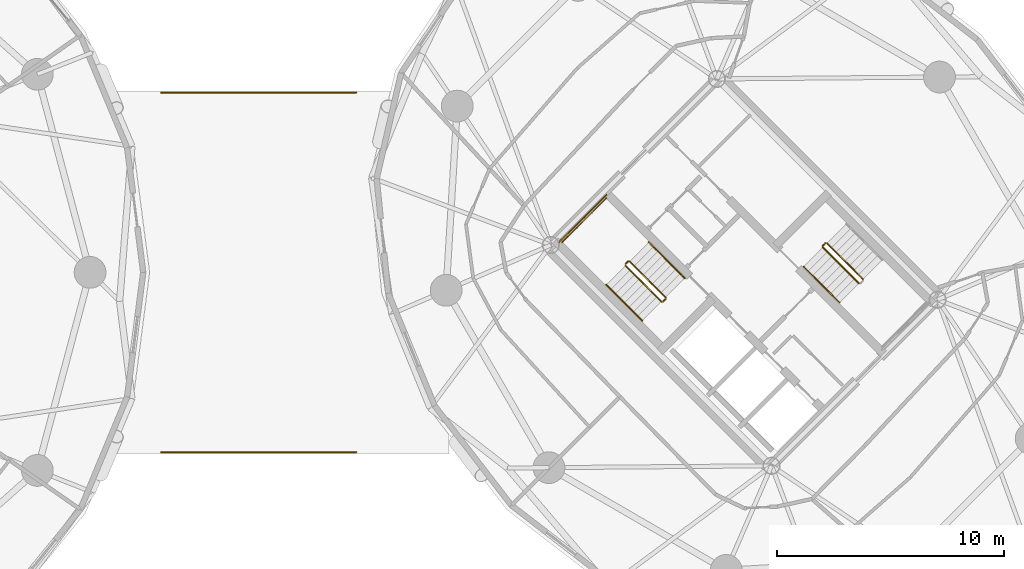
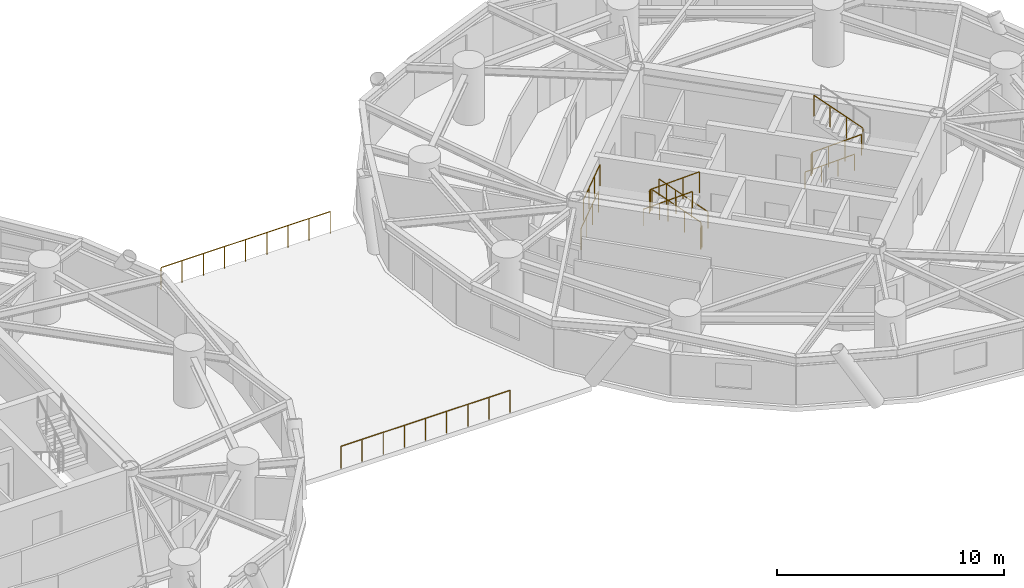
# One storey, part 17 of 19: 14 railings.
"""IFC4 building model written with IfcOpenShell, lengths in metres."""

from ifc_helpers import new_model, si_unit, direction, frame, origin, origin_2d, place, context, subcontext, project, spatial, circle, extrude, material, type_object, element, save


model = new_model("IFC4")

# Units and contexts
model_context = context("Model", 3, precision=1e-05, world=origin(), true_north=direction((0.0, 1.0)))
body_context = subcontext(model_context, "Body", "Model", "MODEL_VIEW")
ifc_project = project(units=[si_unit("LENGTHUNIT", "METRE"), si_unit("AREAUNIT", "SQUARE_METRE"), si_unit("VOLUMEUNIT", "CUBIC_METRE"), si_unit("PLANEANGLEUNIT", "RADIAN"), si_unit("MASSUNIT", "GRAM", prefix="KILO")], contexts=[model_context])

# Site, building, storey
site_placement = place(None, origin())
site = spatial("IfcSite", under=ifc_project, at=site_placement, CompositionType="ELEMENT")
building_placement = place(site_placement, origin())
building = spatial("IfcBuilding", under=site, at=building_placement, Name="Cununo Teusaquillo Station Towers", CompositionType="ELEMENT")
storey_placement = place(building_placement, frame((0.0, 0.0, 144.0400390625)))
storey = spatial("IfcBuildingStorey", under=building, at=storey_placement, Name="L45", CompositionType="ELEMENT", Elevation=144.0400390625)

# Railings
ifc_material_1 = material(Name="Anodised dark bronze aluminium EN AW-6063-T6", Category="aluminium")
railing_type_1 = type_object("IfcRailingType", Name="RL-EXT-BALUS", PredefinedType="BALUSTRADE", material=ifc_material_1)
for number, where, name in (
    (1, (31.800048828125, 32.419921875, 0.0), "L45 Mid-Bridge Roof North Balustrade"),
    (2, (31.800048828125, 16.580078125, 0.0), "L45 Mid-Bridge Roof South Balustrade"),
):
    element("IfcRailing", number, at=place(storey_placement, frame(where)), inside=storey, type_object=railing_type_1, Name=name, PredefinedType="BALUSTRADE", context=body_context, shape_type="SweptSolid", body=[
        extrude(circle(Radius=0.02392578125, at=origin_2d()), frame((0.0, 0.0, 1.17578125), z_axis=(1.0, 0.0, 0.0), x_axis=(0.0, 1.0, 0.0)), (0.0, 0.0, 1.0), 8.599853515625),
        extrude(circle(Radius=0.02099609375, at=origin_2d()), origin(), (0.0, 0.0, 1.0), 1.15185546875),
        extrude(circle(Radius=0.02099609375, at=origin_2d()), frame((1.074951171875, 0.0, 0.0)), (0.0, 0.0, 1.0), 1.15185546875),
        extrude(circle(Radius=0.02099609375, at=origin_2d()), frame((2.14990234375, 0.0, 0.0)), (0.0, 0.0, 1.0), 1.15185546875),
        extrude(circle(Radius=0.02099609375, at=origin_2d()), frame((3.224853515625, 0.0, 0.0)), (0.0, 0.0, 1.0), 1.15185546875),
        extrude(circle(Radius=0.02099609375, at=origin_2d()), frame((4.2998046875, 0.0, 0.0)), (0.0, 0.0, 1.0), 1.15185546875),
        extrude(circle(Radius=0.02099609375, at=origin_2d()), frame((5.375, 0.0, 0.0)), (0.0, 0.0, 1.0), 1.15185546875),
        extrude(circle(Radius=0.02099609375, at=origin_2d()), frame((6.449951171875, 0.0, 0.0)), (0.0, 0.0, 1.0), 1.15185546875),
        extrude(circle(Radius=0.02099609375, at=origin_2d()), frame((7.52490234375, 0.0, 0.0)), (0.0, 0.0, 1.0), 1.15185546875),
        extrude(circle(Radius=0.02099609375, at=origin_2d()), frame((8.599853515625, 0.0, 0.0)), (0.0, 0.0, 1.0), 1.15185546875),
    ])
ifc_material_2 = material(Name="Steel EN 10025-2 S355J2", Category="steel")
railing_type_2 = type_object("IfcRailingType", Name="RL-INT-GUARD", PredefinedType="GUARDRAIL", material=ifc_material_2)
railing_1_placement = place(storey_placement, frame((54.03515625, 23.39697265625, 0.169921875)))
element("IfcRailing", 3, at=railing_1_placement, inside=storey, type_object=railing_type_2, Name="L45 ST-T2-1 stair guard 1", PredefinedType="GUARDRAIL", context=body_context, shape_type="SweptSolid", body=[
    extrude(circle(Radius=0.02392578125, at=origin_2d()), frame((0.0, 0.0, 1.1259765625), z_axis=(-0.604394792707, 0.604394792707, 0.51905093112), x_axis=(-0.707106781187, -0.707106781187, 0.0)), (0.0, 0.0, 1.0), 2.620361328125),
    extrude(circle(Radius=0.02099609375, at=origin_2d()), origin(), (0.0, 0.0, 1.0), 1.101806640625),
    extrude(circle(Radius=0.02099609375, at=origin_2d()), frame((-0.52783203125, 0.52783203125, 0.453369140625)), (0.0, 0.0, 1.0), 1.101806640625),
    extrude(circle(Radius=0.02099609375, at=origin_2d()), frame((-1.055908203125, 1.055908203125, 0.90673828125)), (0.0, 0.0, 1.0), 1.101806640625),
    extrude(circle(Radius=0.02099609375, at=origin_2d()), frame((-1.583740234375, 1.583740234375, 1.360107421875)), (0.0, 0.0, 1.0), 1.101806640625),
])
railing_2_placement = place(storey_placement, frame((52.380615234375, 24.980712890625, 1.530029296875)))
element("IfcRailing", 4, at=railing_2_placement, inside=storey, type_object=railing_type_2, Name="L45 ST-T2-1 stair guard 2", PredefinedType="GUARDRAIL", context=body_context, shape_type="SweptSolid", body=[
    extrude(circle(Radius=0.02392578125, at=origin_2d()), frame((0.0, 0.0, 1.1259765625), z_axis=(-0.7078691598, -0.706343579714, 0.0), x_axis=(0.706343579714, -0.7078691598, 0.0)), (0.0, 0.0, 1.0), 0.159912109375),
    extrude(circle(Radius=0.02099609375, at=origin_2d()), origin(), (0.0, 0.0, 1.0), 1.101806640625),
    extrude(circle(Radius=0.02099609375, at=origin_2d()), frame((-0.11328125, -0.113037109375, 0.0)), (0.0, 0.0, 1.0), 1.101806640625),
])
railing_3_placement = place(storey_placement, frame((51.426025390625, 27.77392578125, 1.530029296875)))
element("IfcRailing", 5, at=railing_3_placement, inside=storey, type_object=railing_type_2, Name="L45 ST-T2-1 stair guard 3", PredefinedType="GUARDRAIL", context=body_context, shape_type="SweptSolid", body=[
    extrude(circle(Radius=0.02392578125, at=origin_2d()), frame((0.0, 0.0, 1.1259765625), z_axis=(-0.707106781187, -0.707106781187, 0.0), x_axis=(0.707106781187, -0.707106781187, 0.0)), (0.0, 0.0, 1.0), 2.760009765625),
    extrude(circle(Radius=0.02099609375, at=origin_2d()), origin(), (0.0, 0.0, 1.0), 1.101806640625),
    extrude(circle(Radius=0.02099609375, at=origin_2d()), frame((-0.650634765625, -0.650634765625, 0.0)), (0.0, 0.0, 1.0), 1.101806640625),
    extrude(circle(Radius=0.02099609375, at=origin_2d()), frame((-1.301025390625, -1.301025390625, 0.0)), (0.0, 0.0, 1.0), 1.101806640625),
    extrude(circle(Radius=0.02099609375, at=origin_2d()), frame((-1.95166015625, -1.95166015625, 0.0)), (0.0, 0.0, 1.0), 1.101806640625),
])
railing_4_placement = place(storey_placement, frame((52.267333984375, 24.796875, 1.699951171875)))
element("IfcRailing", 6, at=railing_4_placement, inside=storey, type_object=railing_type_2, Name="L45 ST-T2-1 stair guard 4", PredefinedType="GUARDRAIL", context=body_context, shape_type="SweptSolid", body=[
    extrude(circle(Radius=0.02392578125, at=origin_2d()), frame((0.0, 0.0, 1.1259765625), z_axis=(0.604453923456, -0.604360758548, 0.51902170277), x_axis=(0.707052281454, 0.707161276719, 0.0)), (0.0, 0.0, 1.0), 2.62060546875),
    extrude(circle(Radius=0.02099609375, at=origin_2d()), origin(), (0.0, 0.0, 1.0), 1.101806640625),
    extrude(circle(Radius=0.02099609375, at=origin_2d()), frame((0.528076171875, -0.52783203125, 0.453369140625)), (0.0, 0.0, 1.0), 1.101806640625),
    extrude(circle(Radius=0.02099609375, at=origin_2d()), frame((1.055908203125, -1.055908203125, 0.90673828125)), (0.0, 0.0, 1.0), 1.101806640625),
    extrude(circle(Radius=0.02099609375, at=origin_2d()), frame((1.583984375, -1.583740234375, 1.360107421875)), (0.0, 0.0, 1.0), 1.101806640625),
])
railing_5_placement = place(storey_placement, frame((54.03515625, 23.326171875, 0.0)))
element("IfcRailing", 7, at=railing_5_placement, inside=storey, type_object=railing_type_2, Name="L45 ST-T2-1 stair guard 5", PredefinedType="GUARDRAIL", context=body_context, shape_type="SweptSolid", body=[
    extrude(circle(Radius=0.02392578125, at=origin_2d()), frame((0.0, 0.0, 1.1259765625), z_axis=(-0.707106781187, -0.707106781187, 0.0), x_axis=(0.707106781187, -0.707106781187, 0.0)), (0.0, 0.0, 1.0), 0.159912109375),
    extrude(circle(Radius=0.02099609375, at=origin_2d()), origin(), (0.0, 0.0, 1.0), 1.101806640625),
    extrude(circle(Radius=0.02099609375, at=origin_2d()), frame((-0.113037109375, -0.113037109375, 0.0)), (0.0, 0.0, 1.0), 1.101806640625),
])
railing_6_placement = place(storey_placement, frame((51.426025390625, 27.915283203125, 0.0)))
element("IfcRailing", 8, at=railing_6_placement, inside=storey, type_object=railing_type_2, Name="L45 ST-T2-1 stair guard 6", PredefinedType="GUARDRAIL", context=body_context, shape_type="SweptSolid", body=[
    extrude(circle(Radius=0.02392578125, at=origin_2d()), frame((0.0, 0.0, 1.1259765625), z_axis=(-0.707106781187, -0.707106781187, 0.0), x_axis=(0.707106781187, -0.707106781187, 0.0)), (0.0, 0.0, 1.0), 2.9599609375),
    extrude(circle(Radius=0.02099609375, at=origin_2d()), origin(), (0.0, 0.0, 1.0), 1.101806640625),
    extrude(circle(Radius=0.02099609375, at=origin_2d()), frame((-0.69775390625, -0.69775390625, 0.0)), (0.0, 0.0, 1.0), 1.101806640625),
    extrude(circle(Radius=0.02099609375, at=origin_2d()), frame((-1.395263671875, -1.395263671875, 0.0)), (0.0, 0.0, 1.0), 1.101806640625),
    extrude(circle(Radius=0.02099609375, at=origin_2d()), frame((-2.093017578125, -2.093017578125, 0.0)), (0.0, 0.0, 1.0), 1.101806640625),
])
railing_7_placement = place(storey_placement, frame((60.96484375, 25.60302734375, 0.169921875)))
element("IfcRailing", 9, at=railing_7_placement, inside=storey, type_object=railing_type_2, Name="L45 ST-T2-2 stair guard 1", PredefinedType="GUARDRAIL", context=body_context, shape_type="SweptSolid", body=[
    extrude(circle(Radius=0.02392578125, at=origin_2d()), frame((0.0, 0.0, 1.1259765625), z_axis=(0.604394792707, -0.604394792707, 0.51905093112), x_axis=(0.707106781187, 0.707106781187, 0.0)), (0.0, 0.0, 1.0), 2.620361328125),
    extrude(circle(Radius=0.02099609375, at=origin_2d()), origin(), (0.0, 0.0, 1.0), 1.101806640625),
    extrude(circle(Radius=0.02099609375, at=origin_2d()), frame((0.52783203125, -0.52783203125, 0.453369140625)), (0.0, 0.0, 1.0), 1.101806640625),
    extrude(circle(Radius=0.02099609375, at=origin_2d()), frame((1.055908203125, -1.055908203125, 0.90673828125)), (0.0, 0.0, 1.0), 1.101806640625),
    extrude(circle(Radius=0.02099609375, at=origin_2d()), frame((1.583740234375, -1.583740234375, 1.360107421875)), (0.0, 0.0, 1.0), 1.101806640625),
])
railing_8_placement = place(storey_placement, frame((62.732666015625, 24.203125, 1.699951171875)))
element("IfcRailing", 10, at=railing_8_placement, inside=storey, type_object=railing_type_2, Name="L45 ST-T2-2 stair guard 4", PredefinedType="GUARDRAIL", context=body_context, shape_type="SweptSolid", body=[
    extrude(circle(Radius=0.02392578125, at=origin_2d()), frame((0.0, 0.0, 1.1259765625), z_axis=(-0.604453923456, 0.604360758548, 0.51902170277), x_axis=(-0.707052281454, -0.707161276719, 0.0)), (0.0, 0.0, 1.0), 2.62060546875),
    extrude(circle(Radius=0.02099609375, at=origin_2d()), origin(), (0.0, 0.0, 1.0), 1.101806640625),
    extrude(circle(Radius=0.02099609375, at=origin_2d()), frame((-0.528076171875, 0.52783203125, 0.453369140625)), (0.0, 0.0, 1.0), 1.101806640625),
    extrude(circle(Radius=0.02099609375, at=origin_2d()), frame((-1.055908203125, 1.055908203125, 0.90673828125)), (0.0, 0.0, 1.0), 1.101806640625),
    extrude(circle(Radius=0.02099609375, at=origin_2d()), frame((-1.583984375, 1.583740234375, 1.360107421875)), (0.0, 0.0, 1.0), 1.101806640625),
])
railing_9_placement = place(storey_placement, frame((60.96484375, 25.673828125, 0.0)))
element("IfcRailing", 11, at=railing_9_placement, inside=storey, type_object=railing_type_2, Name="L45 ST-T2-2 stair guard 5", PredefinedType="GUARDRAIL", context=body_context, shape_type="SweptSolid", body=[
    extrude(circle(Radius=0.02392578125, at=origin_2d()), frame((0.0, 0.0, 1.1259765625), z_axis=(0.707106781187, 0.707106781187, 0.0), x_axis=(-0.707106781187, 0.707106781187, 0.0)), (0.0, 0.0, 1.0), 0.159912109375),
    extrude(circle(Radius=0.02099609375, at=origin_2d()), origin(), (0.0, 0.0, 1.0), 1.101806640625),
    extrude(circle(Radius=0.02099609375, at=origin_2d()), frame((0.113037109375, 0.113037109375, 0.0)), (0.0, 0.0, 1.0), 1.101806640625),
])
ifc_material_3 = material(Name="Steel EN 10025-2 S355J2", Category="steel")
railing_type_3 = type_object("IfcRailingType", Name="RL-INT-HRAIL", PredefinedType="HANDRAIL", material=ifc_material_3)
railing_10_placement = place(storey_placement, frame((54.8837890625, 24.245361328125, 0.169921875)))
element("IfcRailing", 12, at=railing_10_placement, inside=storey, type_object=railing_type_3, Name="L45 ST-T2-1 stair handrail 1", PredefinedType="HANDRAIL", context=body_context, shape_type="SweptSolid", body=[
    extrude(circle(Radius=0.02392578125, at=origin_2d()), frame((0.0, 0.0, 0.8759765625), z_axis=(-0.604419889799, 0.604419889799, 0.518992479358), x_axis=(-0.707106781187, -0.707106781187, 0.0)), (0.0, 0.0, 1.0), 2.62060546875),
    extrude(circle(Radius=0.02099609375, at=origin_2d()), origin(), (0.0, 0.0, 1.0), 0.851806640625),
    extrude(circle(Radius=0.02099609375, at=origin_2d()), frame((-0.528076171875, 0.528076171875, 0.453369140625)), (0.0, 0.0, 1.0), 0.851806640625),
    extrude(circle(Radius=0.02099609375, at=origin_2d()), frame((-1.055908203125, 1.055908203125, 0.90673828125)), (0.0, 0.0, 1.0), 0.851806640625),
    extrude(circle(Radius=0.02099609375, at=origin_2d()), frame((-1.583984375, 1.583984375, 1.360107421875)), (0.0, 0.0, 1.0), 0.851806640625),
])
for number, where, name in (
    (13, (51.4189453125, 23.948486328125, 1.699951171875), "L45 ST-T2-1 stair handrail 2"),
    (14, (60.1162109375, 24.754638671875, 0.169921875), "L45 ST-T2-2 stair handrail 1"),
):
    element("IfcRailing", number, at=place(storey_placement, frame(where)), inside=storey, type_object=railing_type_3, Name=name, PredefinedType="HANDRAIL", context=body_context, shape_type="SweptSolid", body=[
        extrude(circle(Radius=0.02392578125, at=origin_2d()), frame((0.0, 0.0, 0.8759765625), z_axis=(0.604419889799, -0.604419889799, 0.518992479358), x_axis=(0.707106781187, 0.707106781187, 0.0)), (0.0, 0.0, 1.0), 2.62060546875),
        extrude(circle(Radius=0.02099609375, at=origin_2d()), origin(), (0.0, 0.0, 1.0), 0.851806640625),
        extrude(circle(Radius=0.02099609375, at=origin_2d()), frame((0.528076171875, -0.528076171875, 0.453369140625)), (0.0, 0.0, 1.0), 0.851806640625),
        extrude(circle(Radius=0.02099609375, at=origin_2d()), frame((1.055908203125, -1.055908203125, 0.90673828125)), (0.0, 0.0, 1.0), 0.851806640625),
        extrude(circle(Radius=0.02099609375, at=origin_2d()), frame((1.583984375, -1.583984375, 1.360107421875)), (0.0, 0.0, 1.0), 0.851806640625),
    ])

save(model, "model.ifc")
